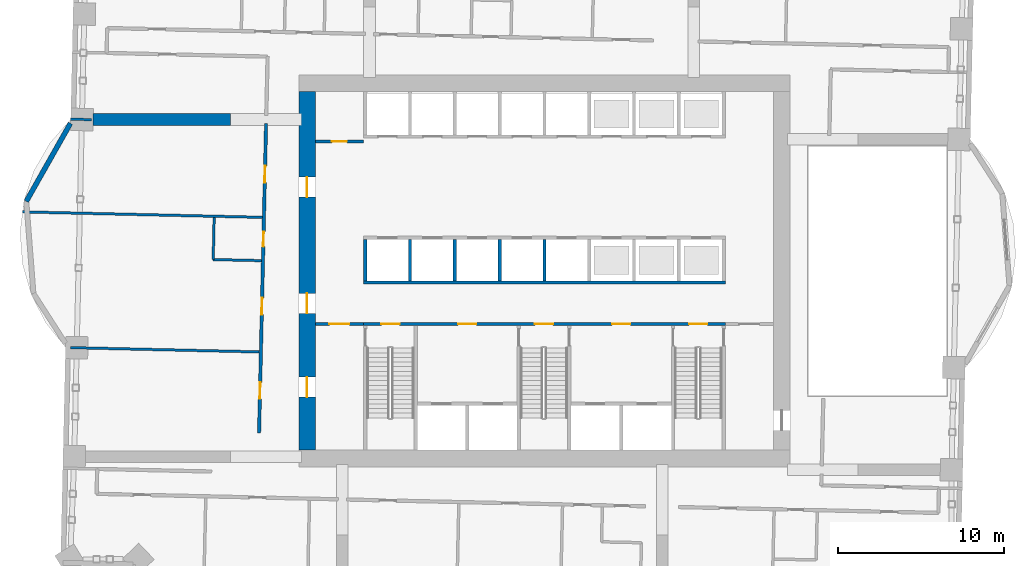
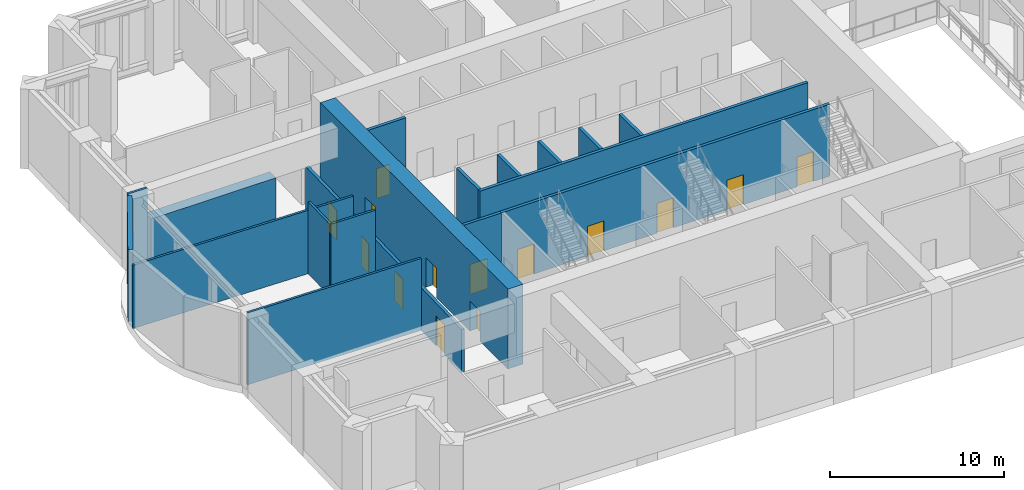
# One storey, part 6 of 13: 18 walls, 14 doors, 14 openings.
"""IFC4 building model written with IfcOpenShell, lengths in metres."""

from ifc_helpers import new_model, si_unit, direction, frame, frame_2d, origin, place, context, subcontext, project, spatial, rectangle, extrude, material, layer, layer_set, type_object, element, fill, save


model = new_model("IFC4")

# Units and contexts
model_context = context("Model", 3, precision=1e-05, world=origin(), true_north=direction((0.0, 1.0)))
body_context = subcontext(model_context, "Body", "Model", "MODEL_VIEW")
ifc_project = project(units=[si_unit("LENGTHUNIT", "METRE"), si_unit("AREAUNIT", "SQUARE_METRE"), si_unit("VOLUMEUNIT", "CUBIC_METRE"), si_unit("PLANEANGLEUNIT", "RADIAN"), si_unit("MASSUNIT", "GRAM", prefix="KILO")], contexts=[model_context])

# Site, building, storey
site_placement = place(None, origin())
site = spatial("IfcSite", under=ifc_project, at=site_placement, CompositionType="ELEMENT")
building_placement = place(site_placement, origin())
building = spatial("IfcBuilding", under=site, at=building_placement, Name="Mangrove Gate Tower", CompositionType="ELEMENT")
storey_placement = place(building_placement, frame((0.0, 0.0, 119.89990234375)))
storey = spatial("IfcBuildingStorey", under=building, at=storey_placement, Name="L30", CompositionType="ELEMENT", Elevation=119.89990234375)

# Wall, opening, door
ifc_material_1 = material(Name="Concrete C32/40", Category="concrete")
ifc_layer_1 = layer(ifc_material_1, 0.199951171875)
ifc_layer_set_1 = layer_set([ifc_layer_1], Name="Core lobby wall 200 C32/40")
wall_type_1 = type_object("IfcWallType", Name="Core lobby wall 200 C32/40", PredefinedType="STANDARD", material=ifc_layer_set_1)
wall_1_placement = place(storey_placement, frame((-13.800048828125, 7.800048828125, 0.0), z_axis=(0.0, 0.0, 1.0), x_axis=(1.0, 0.0, 0.0)))
wall_1 = element("IfcWall", 1, at=wall_1_placement, inside=storey, type_object=wall_type_1, Name="WALL-L30-CORE-37", PredefinedType="STANDARD", context=body_context, shape_type="SweptSolid", body=[
    extrude(rectangle(XDim=2.900146484375, YDim=0.199951171875, at=frame_2d((1.4501953125, 0.0))), origin(), (0.0, 0.0, 1.0), 5.050048828125),
])
opening_1_placement = place(wall_1_placement, frame((1.0, 0.0, 0.0)))
opening_1 = element("IfcOpeningElement", 2, at=opening_1_placement, cuts=wall_1, Name="Opening RD", PredefinedType="OPENING", context=body_context, shape_type="SweptSolid", body=[
    extrude(rectangle(XDim=0.89990234375, YDim=2.10009765625, at=frame_2d((0.449951171875, 1.050048828125))), frame((0.0, 0.10986328125, 0.0), z_axis=(0.0, -1.0, 0.0), x_axis=(1.0, 0.0, 0.0)), (0.0, 0.0, 1.0), 0.219970703125),
])
ifc_material_2 = material(Name="Fire-rated steel door set", Category="steel")
door_type_1 = type_object("IfcDoorType", Name="Riser door FD30S 900x2100", OperationType="SINGLE_SWING_LEFT", PredefinedType="DOOR", material=ifc_material_2)
door_1_placement = place(opening_1_placement, origin())
door_1 = element("IfcDoor", 3, at=door_1_placement, inside=storey, type_object=door_type_1, Name="Riser door electrical room", OperationType="SINGLE_SWING_LEFT", OverallHeight=2.10009765625, OverallWidth=0.89990234375, PredefinedType="DOOR", context=body_context, shape_type="SweptSolid", body=[
    extrude(rectangle(XDim=0.89990234375, YDim=2.10009765625, at=frame_2d((0.449951171875, 1.050048828125))), frame((0.0, 0.02490234375, 0.0), z_axis=(0.0, -1.0, 0.0), x_axis=(1.0, 0.0, 0.0)), (0.0, 0.0, 1.0), 0.050048828125),
])
fill(opening_1, door_1)

wall_2_placement = place(storey_placement, frame((-13.800048828125, -3.199951171875, 0.0), z_axis=(0.0, 0.0, 1.0), x_axis=(1.0, 0.0, 0.0)))
wall_2 = element("IfcWall", 4, at=wall_2_placement, inside=storey, type_object=wall_type_1, Name="WALL-L30-CORE-38", PredefinedType="STANDARD", context=body_context, shape_type="SweptSolid", body=[
    extrude(rectangle(XDim=2.900146484375, YDim=0.199951171875, at=frame_2d((1.4501953125, 0.0))), origin(), (0.0, 0.0, 1.0), 5.050048828125),
])
opening_2_placement = place(wall_2_placement, frame((0.85009765625, 0.0, 0.0)))
opening_2 = element("IfcOpeningElement", 5, at=opening_2_placement, cuts=wall_2, Name="Opening FL12", PredefinedType="OPENING", context=body_context, shape_type="SweptSolid", body=[
    extrude(rectangle(XDim=1.199951171875, YDim=2.10009765625, at=frame_2d((0.60009765625, 1.050048828125))), frame((0.0, 0.10986328125, 0.0), z_axis=(0.0, -1.0, 0.0), x_axis=(1.0, 0.0, 0.0)), (0.0, 0.0, 1.0), 0.219970703125),
])
ifc_material_3 = material(Name="Fire-rated steel door set", Category="steel")
door_type_2 = type_object("IfcDoorType", Name="Lobby door FD60 1200x2100", OperationType="SINGLE_SWING_LEFT", PredefinedType="DOOR", material=ifc_material_3)
door_2_placement = place(opening_2_placement, origin())
door_2 = element("IfcDoor", 6, at=door_2_placement, inside=storey, type_object=door_type_2, Name="Lobby door refuge lobby W link", OperationType="SINGLE_SWING_LEFT", OverallHeight=2.10009765625, OverallWidth=1.199951171875, PredefinedType="DOOR", context=body_context, shape_type="SweptSolid", body=[
    extrude(rectangle(XDim=1.199951171875, YDim=2.10009765625, at=frame_2d((0.60009765625, 1.050048828125))), frame((0.0, 0.02490234375, 0.0), z_axis=(0.0, -1.0, 0.0), x_axis=(1.0, 0.0, 0.0)), (0.0, 0.0, 1.0), 0.050048828125),
])
fill(opening_2, door_2)

# Walls
ifc_material_4 = material(Name="Concrete C70/85", Category="concrete")
ifc_layer_2 = layer(ifc_material_4, 0.199951171875)
ifc_layer_set_2 = layer_set([ifc_layer_2], Name="Core shaft wall 200 C70/85")
wall_type_2 = type_object("IfcWallType", Name="Core shaft wall 200 C70/85", PredefinedType="SHEAR", material=ifc_layer_set_2)
wall_3_placement = place(storey_placement, frame((-10.89990234375, -0.699951171875, 0.0), z_axis=(0.0, 0.0, 1.0), x_axis=(1.0, 0.0, 0.0)))
element("IfcWall", 7, at=wall_3_placement, inside=storey, type_object=wall_type_2, Name="WALL-L30-CORE-6", PredefinedType="SHEAR", context=body_context, shape_type="SweptSolid", body=[
    extrude(rectangle(XDim=21.7998046875, YDim=0.199951171875, at=frame_2d((10.89990234375, 0.0))), origin(), (0.0, 0.0, 1.0), 5.050048828125),
])
for number, where, z_axis, x_axis, name in (
    (8, (-10.800048828125, -0.60009765625, 0.0), (0.0, 0.0, 1.0), (0.0, 1.0, 0.0), "WALL-L30-CORE-19"),
    (9, (-8.10009765625, -0.60009765625, 0.0), (0.0, 0.0, 1.0), (0.0, 1.0, 0.0), "WALL-L30-CORE-20"),
    (10, (-5.39990234375, -0.60009765625, 0.0), (0.0, 0.0, 1.0), (0.0, 1.0, 0.0), "WALL-L30-CORE-21"),
    (11, (-2.699951171875, -0.60009765625, 0.0), (0.0, 0.0, 1.0), (0.0, 1.0, 0.0), "WALL-L30-CORE-22"),
    (12, (0.0, -0.60009765625, 0.0), (0.0, 0.0, 1.0), (0.0, 1.0, 0.0), "WALL-L30-CORE-23"),
):
    element("IfcWall", number, at=place(storey_placement, frame(where, z_axis=z_axis, x_axis=x_axis)), inside=storey, type_object=wall_type_2, Name=name, PredefinedType="SHEAR", context=body_context, shape_type="SweptSolid", body=[
        extrude(rectangle(XDim=2.5, YDim=0.199951171875, at=frame_2d((1.25, 0.0))), origin(), (0.0, 0.0, 1.0), 5.050048828125),
    ])

# Wall, openings, doors
ifc_material_5 = material(Name="Concrete C70/85", Category="concrete")
ifc_layer_3 = layer(ifc_material_5, 0.199951171875)
ifc_layer_set_3 = layer_set([ifc_layer_3], Name="Core stair wall 200 C70/85")
wall_type_3 = type_object("IfcWallType", Name="Core stair wall 200 C70/85", PredefinedType="SHEAR", material=ifc_layer_set_3)
wall_4_placement = place(storey_placement, frame((-10.89990234375, -3.199951171875, 0.0), z_axis=(0.0, 0.0, 1.0), x_axis=(1.0, 0.0, 0.0)))
wall_4 = element("IfcWall", 13, at=wall_4_placement, inside=storey, type_object=wall_type_3, Name="WALL-L30-CORE-5", PredefinedType="SHEAR", context=body_context, shape_type="SweptSolid", body=[
    extrude(rectangle(XDim=21.7998046875, YDim=0.199951171875, at=frame_2d((10.89990234375, 0.0))), origin(), (0.0, 0.0, 1.0), 5.050048828125),
])
opening_3_placement = place(wall_4_placement, frame((1.074951171875, 0.0, 0.0)))
opening_3 = element("IfcOpeningElement", 14, at=opening_3_placement, cuts=wall_4, Name="Opening STD11", PredefinedType="OPENING", context=body_context, shape_type="SweptSolid", body=[
    extrude(rectangle(XDim=1.10009765625, YDim=2.10009765625, at=frame_2d((0.550048828125, 1.050048828125))), frame((0.0, 0.10986328125, 0.0), z_axis=(0.0, -1.0, 0.0), x_axis=(1.0, 0.0, 0.0)), (0.0, 0.0, 1.0), 0.219970703125),
])
opening_4_placement = place(wall_4_placement, frame((10.324951171875, 0.0, 0.0)))
opening_4 = element("IfcOpeningElement", 15, at=opening_4_placement, cuts=wall_4, Name="Opening STD11", PredefinedType="OPENING", context=body_context, shape_type="SweptSolid", body=[
    extrude(rectangle(XDim=1.10009765625, YDim=2.10009765625, at=frame_2d((0.550048828125, 1.050048828125))), frame((0.0, 0.10986328125, 0.0), z_axis=(0.0, -1.0, 0.0), x_axis=(1.0, 0.0, 0.0)), (0.0, 0.0, 1.0), 0.219970703125),
])
opening_5_placement = place(wall_4_placement, frame((19.625, 0.0, 0.0)))
opening_5 = element("IfcOpeningElement", 16, at=opening_5_placement, cuts=wall_4, Name="Opening STD11", PredefinedType="OPENING", context=body_context, shape_type="SweptSolid", body=[
    extrude(rectangle(XDim=1.10009765625, YDim=2.10009765625, at=frame_2d((0.550048828125, 1.050048828125))), frame((0.0, 0.10986328125, 0.0), z_axis=(0.0, -1.0, 0.0), x_axis=(1.0, 0.0, 0.0)), (0.0, 0.0, 1.0), 0.219970703125),
])
opening_6_placement = place(wall_4_placement, frame((5.699951171875, 0.0, 0.0)))
opening_6 = element("IfcOpeningElement", 17, at=opening_6_placement, cuts=wall_4, Name="Opening FL", PredefinedType="OPENING", context=body_context, shape_type="SweptSolid", body=[
    extrude(rectangle(XDim=1.10009765625, YDim=2.10009765625, at=frame_2d((0.550048828125, 1.050048828125))), frame((0.0, 0.10986328125, 0.0), z_axis=(0.0, -1.0, 0.0), x_axis=(1.0, 0.0, 0.0)), (0.0, 0.0, 1.0), 0.219970703125),
])
opening_7_placement = place(wall_4_placement, frame((14.97509765625, 0.0, 0.0)))
opening_7 = element("IfcOpeningElement", 18, at=opening_7_placement, cuts=wall_4, Name="Opening FL", PredefinedType="OPENING", context=body_context, shape_type="SweptSolid", body=[
    extrude(rectangle(XDim=1.10009765625, YDim=2.10009765625, at=frame_2d((0.550048828125, 1.050048828125))), frame((0.0, 0.10986328125, 0.0), z_axis=(0.0, -1.0, 0.0), x_axis=(1.0, 0.0, 0.0)), (0.0, 0.0, 1.0), 0.219970703125),
])
ifc_material_6 = material(Name="Fire-rated steel door set", Category="steel")
door_type_3 = type_object("IfcDoorType", Name="Lobby door FD60 1100x2100", OperationType="SINGLE_SWING_LEFT", PredefinedType="DOOR", material=ifc_material_6)
door_3_placement = place(opening_6_placement, origin())
door_3 = element("IfcDoor", 19, at=door_3_placement, inside=storey, type_object=door_type_3, Name="Lobby door service lobby", OperationType="SINGLE_SWING_LEFT", OverallHeight=2.10009765625, OverallWidth=1.10009765625, PredefinedType="DOOR", context=body_context, shape_type="SweptSolid", body=[
    extrude(rectangle(XDim=1.10009765625, YDim=2.10009765625, at=frame_2d((0.550048828125, 1.050048828125))), frame((0.0, 0.02490234375, 0.0), z_axis=(0.0, -1.0, 0.0), x_axis=(1.0, 0.0, 0.0)), (0.0, 0.0, 1.0), 0.050048828125),
])
fill(opening_6, door_3)
door_4_placement = place(opening_7_placement, origin())
door_4 = element("IfcDoor", 20, at=door_4_placement, inside=storey, type_object=door_type_3, Name="Lobby door fire-fighting lobby", OperationType="SINGLE_SWING_LEFT", OverallHeight=2.10009765625, OverallWidth=1.10009765625, PredefinedType="DOOR", context=body_context, shape_type="SweptSolid", body=[
    extrude(rectangle(XDim=1.10009765625, YDim=2.10009765625, at=frame_2d((0.550048828125, 1.050048828125))), frame((0.0, 0.02490234375, 0.0), z_axis=(0.0, -1.0, 0.0), x_axis=(1.0, 0.0, 0.0)), (0.0, 0.0, 1.0), 0.050048828125),
])
fill(opening_7, door_4)
ifc_material_7 = material(Name="Fire-rated steel door set", Category="steel")
door_type_4 = type_object("IfcDoorType", Name="Stair door FD60 1100x2100", OperationType="SINGLE_SWING_RIGHT", PredefinedType="DOOR", material=ifc_material_7)
door_5_placement = place(opening_3_placement, origin())
door_5 = element("IfcDoor", 21, at=door_5_placement, inside=storey, type_object=door_type_4, Name="Stair door Stair 1", OperationType="SINGLE_SWING_RIGHT", OverallHeight=2.10009765625, OverallWidth=1.10009765625, PredefinedType="DOOR", context=body_context, shape_type="SweptSolid", body=[
    extrude(rectangle(XDim=1.10009765625, YDim=2.10009765625, at=frame_2d((0.550048828125, 1.050048828125))), frame((0.0, 0.02490234375, 0.0), z_axis=(0.0, -1.0, 0.0), x_axis=(1.0, 0.0, 0.0)), (0.0, 0.0, 1.0), 0.050048828125),
])
fill(opening_3, door_5)
door_6_placement = place(opening_4_placement, origin())
door_6 = element("IfcDoor", 22, at=door_6_placement, inside=storey, type_object=door_type_4, Name="Stair door Stair 2", OperationType="SINGLE_SWING_RIGHT", OverallHeight=2.10009765625, OverallWidth=1.10009765625, PredefinedType="DOOR", context=body_context, shape_type="SweptSolid", body=[
    extrude(rectangle(XDim=1.10009765625, YDim=2.10009765625, at=frame_2d((0.550048828125, 1.050048828125))), frame((0.0, 0.02490234375, 0.0), z_axis=(0.0, -1.0, 0.0), x_axis=(1.0, 0.0, 0.0)), (0.0, 0.0, 1.0), 0.050048828125),
])
fill(opening_4, door_6)
door_7_placement = place(opening_5_placement, origin())
door_7 = element("IfcDoor", 23, at=door_7_placement, inside=storey, type_object=door_type_4, Name="Stair door Stair 3", OperationType="SINGLE_SWING_RIGHT", OverallHeight=2.10009765625, OverallWidth=1.10009765625, PredefinedType="DOOR", context=body_context, shape_type="SweptSolid", body=[
    extrude(rectangle(XDim=1.10009765625, YDim=2.10009765625, at=frame_2d((0.550048828125, 1.050048828125))), frame((0.0, 0.02490234375, 0.0), z_axis=(0.0, -1.0, 0.0), x_axis=(1.0, 0.0, 0.0)), (0.0, 0.0, 1.0), 0.050048828125),
])
fill(opening_5, door_7)

ifc_material_8 = material(Name="Concrete C70/85", Category="concrete")
ifc_layer_4 = layer(ifc_material_8, 1.0)
ifc_layer_set_4 = layer_set([ifc_layer_4], Name="Core wall 1000 C70/85")
wall_type_4 = type_object("IfcWallType", Name="Core wall 1000 C70/85", PredefinedType="SHEAR", material=ifc_layer_set_4)
wall_5_placement = place(storey_placement, frame((-14.300048828125, -10.800048828125, 0.0), z_axis=(0.0, 0.0, 1.0), x_axis=(0.0, 1.0, 0.0)))
wall_5 = element("IfcWall", 24, at=wall_5_placement, inside=storey, type_object=wall_type_4, Name="WALL-L30-CORE-3", PredefinedType="SHEAR", context=body_context, shape_type="SweptSolid", body=[
    extrude(rectangle(XDim=21.60009765625, YDim=1.0, at=frame_2d((10.800048828125, 0.0))), origin(), (0.0, 0.0, 1.0), 5.60009765625),
])
opening_8_placement = place(wall_5_placement, frame((8.25, 0.0, 0.0)))
opening_8 = element("IfcOpeningElement", 25, at=opening_8_placement, cuts=wall_5, Name="Opening CD", PredefinedType="OPENING", context=body_context, shape_type="SweptSolid", body=[
    extrude(rectangle(XDim=1.199951171875, YDim=2.10009765625, at=frame_2d((0.60009765625, 1.050048828125))), frame((0.0, 0.510009765625, 0.0), z_axis=(0.0, -1.0, 0.0), x_axis=(1.0, 0.0, 0.0)), (0.0, 0.0, 1.0), 1.02001953125),
])
opening_9_placement = place(wall_5_placement, frame((15.25, 0.0, 0.0)))
opening_9 = element("IfcOpeningElement", 26, at=opening_9_placement, cuts=wall_5, Name="Opening CD", PredefinedType="OPENING", context=body_context, shape_type="SweptSolid", body=[
    extrude(rectangle(XDim=1.199951171875, YDim=2.10009765625, at=frame_2d((0.60009765625, 1.050048828125))), frame((0.0, 0.510009765625, 0.0), z_axis=(0.0, -1.0, 0.0), x_axis=(1.0, 0.0, 0.0)), (0.0, 0.0, 1.0), 1.02001953125),
])
opening_10_placement = place(wall_5_placement, frame((3.199951171875, 0.0, 0.0)))
opening_10 = element("IfcOpeningElement", 27, at=opening_10_placement, cuts=wall_5, Name="Opening CD", PredefinedType="OPENING", context=body_context, shape_type="SweptSolid", body=[
    extrude(rectangle(XDim=1.199951171875, YDim=2.10009765625, at=frame_2d((0.60009765625, 1.050048828125))), frame((0.0, 0.510009765625, 0.0), z_axis=(0.0, -1.0, 0.0), x_axis=(1.0, 0.0, 0.0)), (0.0, 0.0, 1.0), 1.02001953125),
])
ifc_material_9 = material(Name="Fire-rated steel door set", Category="steel")
door_type_5 = type_object("IfcDoorType", Name="Core ring door FD60 1200x2100", OperationType="DOUBLE_DOOR_SINGLE_SWING", PredefinedType="DOOR", material=ifc_material_9)
door_8_placement = place(opening_8_placement, origin())
door_8 = element("IfcDoor", 28, at=door_8_placement, inside=storey, type_object=door_type_5, Name="Core ring door W1", OperationType="DOUBLE_DOOR_SINGLE_SWING", OverallHeight=2.10009765625, OverallWidth=1.199951171875, PredefinedType="DOOR", context=body_context, shape_type="SweptSolid", body=[
    extrude(rectangle(XDim=1.199951171875, YDim=2.10009765625, at=frame_2d((0.60009765625, 1.050048828125))), frame((0.0, 0.02490234375, 0.0), z_axis=(0.0, -1.0, 0.0), x_axis=(1.0, 0.0, 0.0)), (0.0, 0.0, 1.0), 0.050048828125),
])
fill(opening_8, door_8)
door_9_placement = place(opening_9_placement, origin())
door_9 = element("IfcDoor", 29, at=door_9_placement, inside=storey, type_object=door_type_5, Name="Core ring door W2", OperationType="DOUBLE_DOOR_SINGLE_SWING", OverallHeight=2.10009765625, OverallWidth=1.199951171875, PredefinedType="DOOR", context=body_context, shape_type="SweptSolid", body=[
    extrude(rectangle(XDim=1.199951171875, YDim=2.10009765625, at=frame_2d((0.60009765625, 1.050048828125))), frame((0.0, 0.02490234375, 0.0), z_axis=(0.0, -1.0, 0.0), x_axis=(1.0, 0.0, 0.0)), (0.0, 0.0, 1.0), 0.050048828125),
])
fill(opening_9, door_9)
door_10_placement = place(opening_10_placement, origin())
door_10 = element("IfcDoor", 30, at=door_10_placement, inside=storey, type_object=door_type_5, Name="Core ring door W3", OperationType="DOUBLE_DOOR_SINGLE_SWING", OverallHeight=2.10009765625, OverallWidth=1.199951171875, PredefinedType="DOOR", context=body_context, shape_type="SweptSolid", body=[
    extrude(rectangle(XDim=1.199951171875, YDim=2.10009765625, at=frame_2d((0.60009765625, 1.050048828125))), frame((0.0, 0.02490234375, 0.0), z_axis=(0.0, -1.0, 0.0), x_axis=(1.0, 0.0, 0.0)), (0.0, 0.0, 1.0), 0.050048828125),
])
fill(opening_10, door_10)

ifc_material_10 = material(Name="Gypsum board on steel stud, EI 60", Category="steel")
ifc_layer_5 = layer(ifc_material_10, 0.199951171875)
ifc_layer_set_5 = layer_set([ifc_layer_5], Name="Corridor wall EI 60")
wall_type_5 = type_object("IfcWallType", Name="Corridor wall EI 60", PredefinedType="PARTITIONING", material=ifc_layer_set_5)
wall_6_placement = place(storey_placement, frame((-17.193115234375, -9.7529296875, 0.0), z_axis=(0.0, 0.0, 1.0), x_axis=(0.02270473944, 0.999742214177, 0.0)))
wall_6 = element("IfcWall", 31, at=wall_6_placement, inside=storey, type_object=wall_type_5, Name="WALL-L30-022", PredefinedType="PARTITIONING", context=body_context, shape_type="SweptSolid", body=[
    extrude(rectangle(XDim=18.634765625, YDim=0.199951171875, at=frame_2d((9.3173828125, 0.0))), origin(), (0.0, 0.0, 1.0), 3.0),
])
opening_11_placement = place(wall_6_placement, frame((15.0830078125, 0.0, 0.0)))
opening_11 = element("IfcOpeningElement", 32, at=opening_11_placement, cuts=wall_6, Name="Opening AD", PredefinedType="OPENING", context=body_context, shape_type="SweptSolid", body=[
    extrude(rectangle(XDim=1.0, YDim=2.10009765625, at=frame_2d((0.5, 1.050048828125))), frame((0.0, 0.10986328125, 0.0), z_axis=(0.0, -1.0, 0.0), x_axis=(1.0, 0.0, 0.0)), (0.0, 0.0, 1.0), 0.219970703125),
])
opening_12_placement = place(wall_6_placement, frame((7.12890625, 0.0, 0.0)))
opening_12 = element("IfcOpeningElement", 33, at=opening_12_placement, cuts=wall_6, Name="Opening AD", PredefinedType="OPENING", context=body_context, shape_type="SweptSolid", body=[
    extrude(rectangle(XDim=1.0, YDim=2.10009765625, at=frame_2d((0.5, 1.050048828125))), frame((0.0, 0.10986328125, 0.0), z_axis=(0.0, -1.0, 0.0), x_axis=(1.0, 0.0, 0.0)), (0.0, 0.0, 1.0), 0.219970703125),
])
opening_13_placement = place(wall_6_placement, frame((11.22900390625, 0.0, 0.0)))
opening_13 = element("IfcOpeningElement", 34, at=opening_13_placement, cuts=wall_6, Name="Opening SD", PredefinedType="OPENING", context=body_context, shape_type="SweptSolid", body=[
    extrude(rectangle(XDim=0.89990234375, YDim=2.10009765625, at=frame_2d((0.449951171875, 1.050048828125))), frame((0.0, 0.10986328125, 0.0), z_axis=(0.0, -1.0, 0.0), x_axis=(1.0, 0.0, 0.0)), (0.0, 0.0, 1.0), 0.219970703125),
])
opening_14_placement = place(wall_6_placement, frame((2.041015625, 0.0, 0.0)))
opening_14 = element("IfcOpeningElement", 35, at=opening_14_placement, cuts=wall_6, Name="Opening AD", PredefinedType="OPENING", context=body_context, shape_type="SweptSolid", body=[
    extrude(rectangle(XDim=1.0, YDim=2.10009765625, at=frame_2d((0.5, 1.050048828125))), frame((0.0, 0.10986328125, 0.0), z_axis=(0.0, -1.0, 0.0), x_axis=(1.0, 0.0, 0.0)), (0.0, 0.0, 1.0), 0.219970703125),
])
ifc_material_11 = material(Name="Timber door leaf", Category="wood")
door_type_6 = type_object("IfcDoorType", Name="Amenity door 1000", OperationType="SINGLE_SWING_LEFT", PredefinedType="DOOR", material=ifc_material_11)
door_11_placement = place(opening_11_placement, origin())
door_11 = element("IfcDoor", 36, at=door_11_placement, inside=storey, type_object=door_type_6, Name="DOOR-L30-KIT-c5a", OperationType="SINGLE_SWING_RIGHT", OverallHeight=2.10009765625, OverallWidth=1.0, PredefinedType="DOOR", context=body_context, shape_type="SweptSolid", body=[
    extrude(rectangle(XDim=1.0, YDim=2.10009765625, at=frame_2d((0.5, 1.050048828125))), frame((0.0, 0.02490234375, 0.0), z_axis=(0.0, -1.0, 0.0), x_axis=(1.0, 0.0, 0.0)), (0.0, 0.0, 1.0), 0.050048828125),
])
fill(opening_11, door_11)
door_12_placement = place(opening_12_placement, origin())
door_12 = element("IfcDoor", 37, at=door_12_placement, inside=storey, type_object=door_type_6, Name="DOOR-L30-LNG-c5a", OperationType="SINGLE_SWING_LEFT", OverallHeight=2.10009765625, OverallWidth=1.0, PredefinedType="DOOR", context=body_context, shape_type="SweptSolid", body=[
    extrude(rectangle(XDim=1.0, YDim=2.10009765625, at=frame_2d((0.5, 1.050048828125))), frame((0.0, 0.02490234375, 0.0), z_axis=(0.0, -1.0, 0.0), x_axis=(1.0, 0.0, 0.0)), (0.0, 0.0, 1.0), 0.050048828125),
])
fill(opening_12, door_12)
door_13_placement = place(opening_14_placement, origin())
door_13 = element("IfcDoor", 38, at=door_13_placement, inside=storey, type_object=door_type_6, Name="DOOR-L30-GAM-c5b", OperationType="SINGLE_SWING_RIGHT", OverallHeight=2.10009765625, OverallWidth=1.0, PredefinedType="DOOR", context=body_context, shape_type="SweptSolid", body=[
    extrude(rectangle(XDim=1.0, YDim=2.10009765625, at=frame_2d((0.5, 1.050048828125))), frame((0.0, 0.02490234375, 0.0), z_axis=(0.0, -1.0, 0.0), x_axis=(1.0, 0.0, 0.0)), (0.0, 0.0, 1.0), 0.050048828125),
])
fill(opening_14, door_13)
ifc_material_12 = material(Name="Timber door leaf", Category="wood")
door_type_7 = type_object("IfcDoorType", Name="Service room door 900", OperationType="SINGLE_SWING_LEFT", PredefinedType="DOOR", material=ifc_material_12)
door_14_placement = place(opening_13_placement, origin())
door_14 = element("IfcDoor", 39, at=door_14_placement, inside=storey, type_object=door_type_7, Name="DOOR-L30-AWC-c5a", OperationType="SINGLE_SWING_RIGHT", OverallHeight=2.10009765625, OverallWidth=0.89990234375, PredefinedType="DOOR", context=body_context, shape_type="SweptSolid", body=[
    extrude(rectangle(XDim=0.89990234375, YDim=2.10009765625, at=frame_2d((0.449951171875, 1.050048828125))), frame((0.0, 0.02490234375, 0.0), z_axis=(0.0, -1.0, 0.0), x_axis=(1.0, 0.0, 0.0)), (0.0, 0.0, 1.0), 0.050048828125),
])
fill(opening_13, door_14)

# Walls
ifc_material_13 = material(Name="Limestone", Category="masonry")
ifc_layer_6 = layer(ifc_material_13, 0.0400390625, Name="Limestone cladding")
ifc_material_14 = material(Name="Ventilated air gap")
ifc_layer_7 = layer(ifc_material_14, 0.0400390625, Name="Ventilated cavity")
ifc_material_15 = material(Name="Mineral wool insulation")
ifc_layer_8 = layer(ifc_material_15, 0.06005859375, Name="Insulation")
ifc_material_16 = material(Name="Breather membrane")
ifc_layer_9 = layer(ifc_material_16, 0.001953125, Name="Breather membrane")
ifc_material_17 = material(Name="Concrete C20/25 blockwork", Category="masonry")
ifc_layer_10 = layer(ifc_material_17, 0.14990234375, Name="Blockwork backing wall")
ifc_material_18 = material(Name="Gypsum plaster")
ifc_layer_11 = layer(ifc_material_18, 0.008056640625, Name="Internal plaster")
ifc_layer_set_6 = layer_set([ifc_layer_6, ifc_layer_7, ifc_layer_8, ifc_layer_9, ifc_layer_10, ifc_layer_11], Name="External wall 300 limestone cladding")
wall_type_6 = type_object("IfcWallType", Name="External wall 300 limestone cladding", PredefinedType="SOLIDWALL", material=ifc_layer_set_6)
wall_7_placement = place(storey_placement, frame((-28.556884765625, 8.89404296875, 0.0), z_axis=(0.0, 0.0, 1.0), x_axis=(-0.492589172415, -0.8702619762, 0.0)))
element("IfcWall", 40, at=wall_7_placement, inside=storey, type_object=wall_type_6, Name="WALL-L30-W9f1", PredefinedType="SOLIDWALL", context=body_context, shape_type="SweptSolid", body=[
    extrude(rectangle(XDim=5.3984375, YDim=0.300048828125, at=frame_2d((2.69921875, 0.0))), origin(), (0.0, 0.0, 1.0), 5.050048828125),
])
ifc_material_19 = material(Name="Concrete C70/85", Category="concrete")
ifc_layer_12 = layer(ifc_material_19, 0.699951171875)
ifc_layer_set_7 = layer_set([ifc_layer_12], Name="Outrigger wall 700 C70/85")
wall_type_7 = type_object("IfcWallType", Name="Outrigger wall 700 C70/85", PredefinedType="SHEAR", material=ifc_layer_set_7)
wall_8_placement = place(storey_placement, frame((-18.89990234375, 9.122802734375, 0.0), z_axis=(0.0, 0.0, 1.0), x_axis=(-1.0, 0.0, 0.0)))
element("IfcWall", 41, at=wall_8_placement, inside=storey, type_object=wall_type_7, Name="Outrigger wall L30 OR2 pier", PredefinedType="SHEAR", context=body_context, shape_type="SweptSolid", body=[
    extrude(rectangle(XDim=8.291015625, YDim=0.699951171875, at=frame_2d((4.1455078125, 0.0))), origin(), (0.0, 0.0, 1.0), 3.0),
])
ifc_material_20 = material(Name="Gypsum board on steel stud, EI 60", Category="steel")
ifc_layer_13 = layer(ifc_material_20, 0.14990234375)
ifc_layer_set_8 = layer_set([ifc_layer_13], Name="Party wall 150 EI 60")
wall_type_8 = type_object("IfcWallType", Name="Party wall 150 EI 60", PredefinedType="PARTITIONING", material=ifc_layer_set_8)
wall_9_placement = place(storey_placement, frame((-28.552978515625, -4.6201171875, 0.0), z_axis=(0.0, 0.0, 1.0), x_axis=(0.999743020026, -0.022669228257, 0.0)))
element("IfcWall", 42, at=wall_9_placement, inside=storey, type_object=wall_type_8, Name="WALL-L30-023", PredefinedType="PARTITIONING", context=body_context, shape_type="SweptSolid", body=[
    extrude(rectangle(XDim=11.372802734375, YDim=0.14990234375, at=frame_2d((5.6865234375, 0.0))), origin(), (0.0, 0.0, 1.0), 5.050048828125),
])
wall_10_placement = place(storey_placement, frame((-19.9580078125, 0.68603515625, 0.0), z_axis=(0.0, 0.0, 1.0), x_axis=(0.999741748633, -0.022725229174, 0.0)))
element("IfcWall", 43, at=wall_10_placement, inside=storey, type_object=wall_type_8, Name="WALL-L30-024", PredefinedType="PARTITIONING", context=body_context, shape_type="SweptSolid", body=[
    extrude(rectangle(XDim=2.900634765625, YDim=0.14990234375, at=frame_2d((1.4501953125, 0.0))), origin(), (0.0, 0.0, 1.0), 5.050048828125),
])
wall_11_placement = place(storey_placement, frame((-19.9560546875, 0.69091796875, 0.0), z_axis=(0.0, 0.0, 1.0), x_axis=(0.022618209135, 0.999744175585, 0.0)))
element("IfcWall", 44, at=wall_11_placement, inside=storey, type_object=wall_type_8, Name="WALL-L30-025", PredefinedType="PARTITIONING", context=body_context, shape_type="SweptSolid", body=[
    extrude(rectangle(XDim=2.52587890625, YDim=0.14990234375, at=frame_2d((1.262939453125, 0.0))), origin(), (0.0, 0.0, 1.0), 5.050048828125),
])
wall_12_placement = place(storey_placement, frame((-31.445068359375, 3.55810546875, 0.0), z_axis=(0.0, 0.0, 1.0), x_axis=(0.999742140748, -0.022707972439, 0.0)))
element("IfcWall", 45, at=wall_12_placement, inside=storey, type_object=wall_type_8, Name="WALL-L30-026", PredefinedType="PARTITIONING", context=body_context, shape_type="SweptSolid", body=[
    extrude(rectangle(XDim=14.44970703125, YDim=0.14990234375, at=frame_2d((7.224853515625, 0.0))), origin(), (0.0, 0.0, 1.0), 4.4501953125),
])
wall_13_placement = place(storey_placement, frame((-28.541015625, 9.14306640625, 0.0), z_axis=(0.0, 0.0, 1.0), x_axis=(0.999747848546, -0.022455273942, 0.0)))
element("IfcWall", 46, at=wall_13_placement, inside=storey, type_object=wall_type_8, Name="WALL-L30-027", PredefinedType="PARTITIONING", context=body_context, shape_type="SweptSolid", body=[
    extrude(rectangle(XDim=1.250244140625, YDim=0.14990234375, at=frame_2d((0.625, 0.0))), origin(), (0.0, 0.0, 1.0), 5.050048828125),
])

save(model, "model.ifc")
